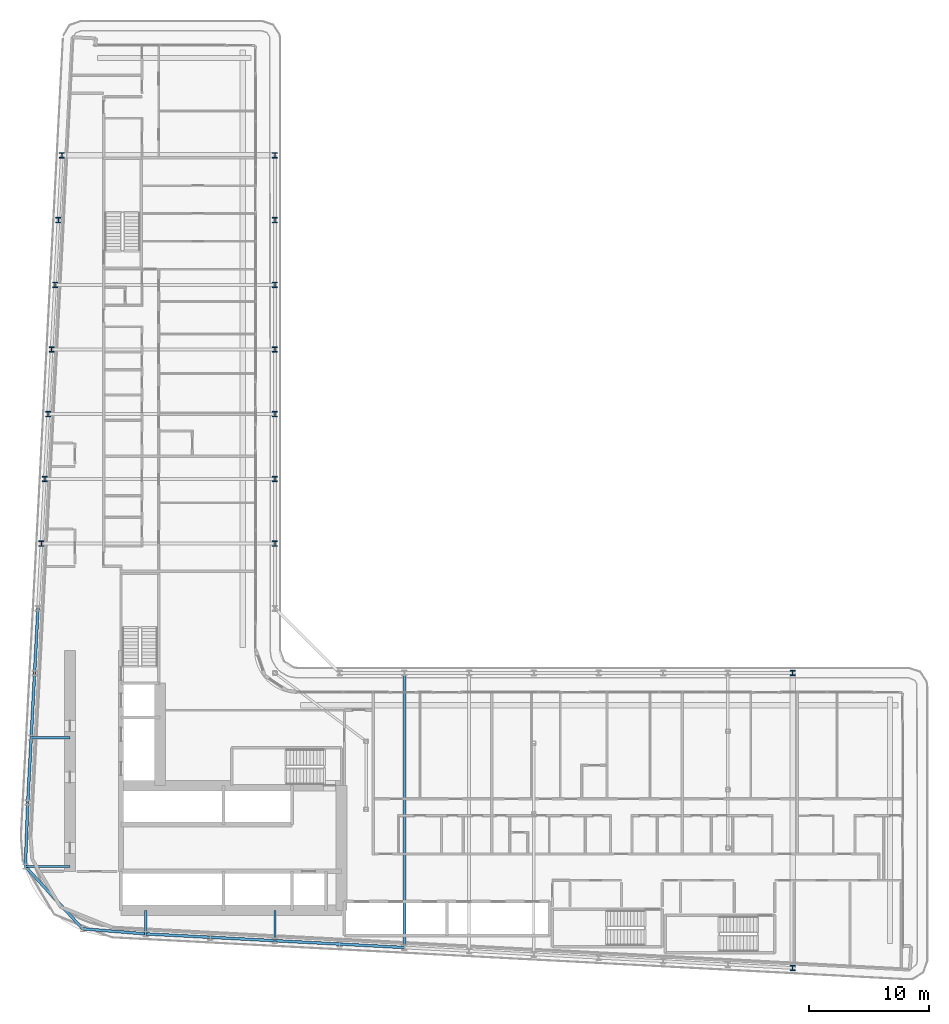
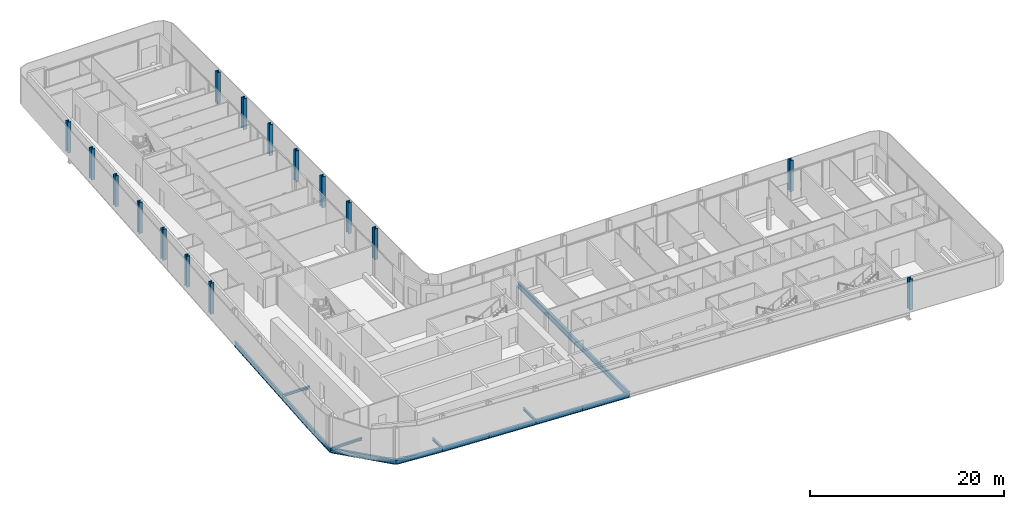
# One storey, part 3 of 28: 16 columns, 15 beams.
"""IFC4 building model written with IfcOpenShell, lengths in metres."""

from ifc_helpers import new_model, si_unit, direction, frame, origin, origin_2d, place, context, subcontext, project, spatial, i_section, extrude, material, material_profile, profile_set, type_object, element, save


model = new_model("IFC4")

# Units and contexts
model_context = context("Model", 3, precision=1e-05, world=origin(), true_north=direction((0.0, 1.0)))
body_context = subcontext(model_context, "Body", "Model", "MODEL_VIEW")
ifc_project = project(units=[si_unit("LENGTHUNIT", "METRE"), si_unit("AREAUNIT", "SQUARE_METRE"), si_unit("VOLUMEUNIT", "CUBIC_METRE"), si_unit("PLANEANGLEUNIT", "RADIAN"), si_unit("MASSUNIT", "GRAM", prefix="KILO")], contexts=[model_context])

# Site, building, storey
site_placement = place(None, origin())
site = spatial("IfcSite", under=ifc_project, at=site_placement, CompositionType="ELEMENT")
building_placement = place(site_placement, origin())
building = spatial("IfcBuilding", under=site, at=building_placement, Name="Kheshtan School and Residences Tower", CompositionType="ELEMENT")
storey_placement = place(building_placement, frame((0.0, 0.0, 129.199951171875)))
storey = spatial("IfcBuildingStorey", under=building, at=storey_placement, Name="L30", CompositionType="ELEMENT", Elevation=129.199951171875)

# Columns
ifc_material = material(Name="Steel ASTM A992 Grade 50", Category="steel")
ifc_material_profile_1 = material_profile(ifc_material, i_section(OverallWidth=0.41796875, OverallDepth=0.455078125, WebThickness=0.042236328125, FlangeThickness=0.067626953125, FilletRadius=0.013671875, at=origin_2d()), Name="W360x551")
ifc_profile_set_1 = profile_set([ifc_material_profile_1], Name="Steel ASTM A992 Grade 50")
column_type = type_object("IfcColumnType", Name="Column C2 W360x551 ASTM A992 Grade 50", PredefinedType="COLUMN", material=ifc_profile_set_1)
for number, where, z_axis, x_axis, name in (
    (1, (90.800048828125, 20.989990234375, 0.0), (0.0, 0.0, 1.0), (1.0, 0.0, 0.0), "Column C006"),
    (2, (90.800048828125, 45.60009765625, 0.0), (0.0, 0.0, 1.0), (1.0, 0.0, 0.0), "Column C068"),
    (3, (28.10595703125, 56.39990234375, 0.0), (0.0, 0.0, 1.0), (1.0, 0.0, 0.0), "Column C080"),
    (4, (47.60009765625, 56.39990234375, 0.0), (0.0, 0.0, 1.0), (1.0, 0.0, 0.0), "Column C081"),
    (5, (28.389892578125, 61.800048828125, 0.0), (0.0, 0.0, 1.0), (1.0, 0.0, 0.0), "Column C082"),
    (6, (47.60009765625, 61.800048828125, 0.0), (0.0, 0.0, 1.0), (1.0, 0.0, 0.0), "Column C083"),
    (7, (28.674072265625, 67.199951171875, 0.0), (0.0, 0.0, 1.0), (1.0, 0.0, 0.0), "Column C084"),
    (8, (47.60009765625, 67.199951171875, 0.0), (0.0, 0.0, 1.0), (1.0, 0.0, 0.0), "Column C085"),
    (9, (28.9580078125, 72.60009765625, 0.0), (0.0, 0.0, 1.0), (1.0, 0.0, 0.0), "Column C086"),
    (10, (47.60009765625, 72.60009765625, 0.0), (0.0, 0.0, 1.0), (1.0, 0.0, 0.0), "Column C087"),
    (11, (29.242919921875, 78.0, 0.0), (0.0, 0.0, 1.0), (1.0, 0.0, 0.0), "Column C088"),
    (12, (47.60009765625, 78.0, 0.0), (0.0, 0.0, 1.0), (1.0, 0.0, 0.0), "Column C089"),
    (13, (29.527099609375, 83.39990234375, 0.0), (0.0, 0.0, 1.0), (1.0, 0.0, 0.0), "Column C090"),
    (14, (47.60009765625, 83.39990234375, 0.0), (0.0, 0.0, 1.0), (1.0, 0.0, 0.0), "Column C091"),
    (15, (29.81103515625, 88.800048828125, 0.0), (0.0, 0.0, 1.0), (1.0, 0.0, 0.0), "Column C098"),
    (16, (47.60009765625, 88.800048828125, 0.0), (0.0, 0.0, 1.0), (1.0, 0.0, 0.0), "Column C099"),
):
    element("IfcColumn", number, at=place(storey_placement, frame(where, z_axis=z_axis, x_axis=x_axis)), inside=storey, type_object=column_type, Name=name, PredefinedType="COLUMN", context=body_context, shape_type="SweptSolid", body=[
        extrude(i_section(OverallWidth=0.41796875, OverallDepth=0.455078125, WebThickness=0.042236328125, FlangeThickness=0.067626953125, FilletRadius=0.013671875, at=origin_2d()), origin(), (0.0, 0.0, 1.0), 3.900146484375),
    ])

# Beams
ifc_material_profile_2 = material_profile(ifc_material, i_section(OverallWidth=0.202880859375, OverallDepth=0.302978515625, WebThickness=0.007568359375, FlangeThickness=0.01318359375, FilletRadius=0.009033203125, at=origin_2d()), Name="W310x60")
ifc_profile_set_2 = profile_set([ifc_material_profile_2], Name="Steel ASTM A992 Grade 50")
beam_type_1 = type_object("IfcBeamType", Name="Beam FB1 W310x60 ASTM A992 Grade 50", PredefinedType="BEAM", material=ifc_profile_set_2)
beam_1_placement = place(storey_placement, frame((47.60009765625, 23.263916015625, -0.301513671875), z_axis=(0.0, 1.0, 0.0), x_axis=(-1.0, 0.0, 0.0)))
element("IfcBeam", 17, at=beam_1_placement, inside=storey, type_object=beam_type_1, Name="Floor beam C020", PredefinedType="BEAM", context=body_context, shape_type="SweptSolid", body=[
    extrude(i_section(OverallWidth=0.202880859375, OverallDepth=0.302978515625, WebThickness=0.007568359375, FlangeThickness=0.01318359375, FilletRadius=0.009033203125, at=origin_2d()), origin(), (0.0, 0.0, 1.0), 2.5361328125),
])
beam_2_placement = place(storey_placement, frame((36.800048828125, 23.83203125, -0.301513671875), z_axis=(0.0, 1.0, 0.0), x_axis=(-1.0, 0.0, 0.0)))
element("IfcBeam", 18, at=beam_2_placement, inside=storey, type_object=beam_type_1, Name="Floor beam C022", PredefinedType="BEAM", context=body_context, shape_type="SweptSolid", body=[
    extrude(i_section(OverallWidth=0.202880859375, OverallDepth=0.302978515625, WebThickness=0.007568359375, FlangeThickness=0.01318359375, FilletRadius=0.009033203125, at=origin_2d()), origin(), (0.0, 0.0, 1.0), 1.968017578125),
])
beam_3_placement = place(storey_placement, frame((26.76904296875, 29.4541015625, -0.301513671875), z_axis=(1.0, 0.0, 0.0), x_axis=(0.0, 1.0, 0.0)))
element("IfcBeam", 19, at=beam_3_placement, inside=storey, type_object=beam_type_1, Name="Floor beam C038", PredefinedType="BEAM", context=body_context, shape_type="SweptSolid", body=[
    extrude(i_section(OverallWidth=0.202880859375, OverallDepth=0.302978515625, WebThickness=0.007568359375, FlangeThickness=0.01318359375, FilletRadius=0.009033203125, at=origin_2d()), origin(), (0.0, 0.0, 1.0), 3.73095703125),
])
beam_4_placement = place(storey_placement, frame((27.2529296875, 40.199951171875, -0.301513671875), z_axis=(1.0, 0.0, 0.0), x_axis=(0.0, 1.0, 0.0)))
element("IfcBeam", 20, at=beam_4_placement, inside=storey, type_object=beam_type_1, Name="Floor beam C056", PredefinedType="BEAM", context=body_context, shape_type="SweptSolid", body=[
    extrude(i_section(OverallWidth=0.202880859375, OverallDepth=0.302978515625, WebThickness=0.007568359375, FlangeThickness=0.01318359375, FilletRadius=0.009033203125, at=origin_2d()), origin(), (0.0, 0.0, 1.0), 3.2470703125),
])
ifc_material_profile_3 = material_profile(ifc_material, i_section(OverallWidth=0.2529296875, OverallDepth=0.677978515625, WebThickness=0.01171875, FlangeThickness=0.016357421875, FilletRadius=0.0146484375, at=origin_2d()), Name="W690x125")
ifc_profile_set_3 = profile_set([ifc_material_profile_3], Name="Steel ASTM A992 Grade 50")
beam_type_2 = type_object("IfcBeamType", Name="Beam FB6 W690x125 ASTM A992 Grade 50", PredefinedType="BEAM", material=ifc_profile_set_3)
beam_5_placement = place(storey_placement, frame((58.39990234375, 22.695068359375, -0.489013671875), z_axis=(0.0, 1.0, 0.0), x_axis=(-1.0, 0.0, 0.0)))
element("IfcBeam", 21, at=beam_5_placement, inside=storey, type_object=beam_type_2, Name="Floor beam C018", PredefinedType="BEAM", context=body_context, shape_type="SweptSolid", body=[
    extrude(i_section(OverallWidth=0.2529296875, OverallDepth=0.677978515625, WebThickness=0.01171875, FlangeThickness=0.016357421875, FilletRadius=0.0146484375, at=origin_2d()), origin(), (0.0, 0.0, 1.0), 22.905029296875),
])
ifc_material_profile_4 = material_profile(ifc_material, i_section(OverallWidth=0.22802734375, OverallDepth=0.60302734375, WebThickness=0.010498046875, FlangeThickness=0.014892578125, FilletRadius=0.013427734375, at=origin_2d()), Name="W610x101")
ifc_profile_set_4 = profile_set([ifc_material_profile_4], Name="Steel ASTM A992 Grade 50")
beam_type_3 = type_object("IfcBeamType", Name="Beam SP2 W610x101 ASTM A992 Grade 50", PredefinedType="BEAM", material=ifc_profile_set_4)
for number, where, z_axis, x_axis, name in (
    (22, (58.39990234375, 22.695068359375, -0.451416015625), (-0.998610961136, 0.052689166816, 0.0), (-0.052689166816, -0.998610961136, 0.0), "Spandrel beam C018-C019"),
    (23, (53.0, 22.97998046875, -0.451416015625), (-0.998620447272, 0.05250906864, 0.0), (-0.05250906864, -0.998620447272, 0.0), "Spandrel beam C019-C020"),
):
    element("IfcBeam", number, at=place(storey_placement, frame(where, z_axis=z_axis, x_axis=x_axis)), inside=storey, type_object=beam_type_3, Name=name, PredefinedType="BEAM", context=body_context, shape_type="SweptSolid", body=[
        extrude(i_section(OverallWidth=0.22802734375, OverallDepth=0.60302734375, WebThickness=0.010498046875, FlangeThickness=0.014892578125, FilletRadius=0.013427734375, at=origin_2d()), origin(), (0.0, 0.0, 1.0), 5.407470703125),
    ])
beam_6_placement = place(storey_placement, frame((47.60009765625, 23.263916015625, -0.451416015625), z_axis=(-0.998618203458, 0.052551724256, 0.0), x_axis=(-0.052551724256, -0.998618203458, 0.0)))
element("IfcBeam", 24, at=beam_6_placement, inside=storey, type_object=beam_type_3, Name="Spandrel beam C020-C021", PredefinedType="BEAM", context=body_context, shape_type="SweptSolid", body=[
    extrude(i_section(OverallWidth=0.22802734375, OverallDepth=0.60302734375, WebThickness=0.010498046875, FlangeThickness=0.014892578125, FilletRadius=0.013427734375, at=origin_2d()), origin(), (0.0, 0.0, 1.0), 5.40771484375),
])
beam_7_placement = place(storey_placement, frame((42.199951171875, 23.548095703125, -0.451416015625), z_axis=(-0.998620447272, 0.05250906864, 0.0), x_axis=(-0.05250906864, -0.998620447272, 0.0)))
element("IfcBeam", 25, at=beam_7_placement, inside=storey, type_object=beam_type_3, Name="Spandrel beam C021-C022", PredefinedType="BEAM", context=body_context, shape_type="SweptSolid", body=[
    extrude(i_section(OverallWidth=0.22802734375, OverallDepth=0.60302734375, WebThickness=0.010498046875, FlangeThickness=0.014892578125, FilletRadius=0.013427734375, at=origin_2d()), origin(), (0.0, 0.0, 1.0), 5.407470703125),
])
beam_8_placement = place(storey_placement, frame((36.800048828125, 23.83203125, -0.451416015625), z_axis=(-0.996748565693, 0.08057479003, 0.0), x_axis=(-0.08057479003, -0.996748565693, 0.0)))
element("IfcBeam", 26, at=beam_8_placement, inside=storey, type_object=beam_type_3, Name="Spandrel beam C022-C025", PredefinedType="BEAM", context=body_context, shape_type="SweptSolid", body=[
    extrude(i_section(OverallWidth=0.22802734375, OverallDepth=0.60302734375, WebThickness=0.010498046875, FlangeThickness=0.014892578125, FilletRadius=0.013427734375, at=origin_2d()), origin(), (0.0, 0.0, 1.0), 5.275146484375),
])
beam_9_placement = place(storey_placement, frame((31.5419921875, 24.257080078125, -0.451416015625), z_axis=(-0.676418406149, 0.736517576045, 0.0), x_axis=(-0.736517576045, -0.676418406149, 0.0)))
element("IfcBeam", 27, at=beam_9_placement, inside=storey, type_object=beam_type_3, Name="Spandrel beam C025-C038", PredefinedType="BEAM", context=body_context, shape_type="SweptSolid", body=[
    extrude(i_section(OverallWidth=0.22802734375, OverallDepth=0.60302734375, WebThickness=0.010498046875, FlangeThickness=0.014892578125, FilletRadius=0.013427734375, at=origin_2d()), origin(), (0.0, 0.0, 1.0), 7.05615234375),
])
beam_10_placement = place(storey_placement, frame((26.76904296875, 29.4541015625, -0.451416015625), z_axis=(0.037376249491, 0.999301263871, 0.0), x_axis=(-0.999301263871, 0.037376249491, 0.0)))
element("IfcBeam", 28, at=beam_10_placement, inside=storey, type_object=beam_type_3, Name="Spandrel beam C038-C052", PredefinedType="BEAM", context=body_context, shape_type="SweptSolid", body=[
    extrude(i_section(OverallWidth=0.22802734375, OverallDepth=0.60302734375, WebThickness=0.010498046875, FlangeThickness=0.014892578125, FilletRadius=0.013427734375, at=origin_2d()), origin(), (0.0, 0.0, 1.0), 5.349609375),
])
beam_11_placement = place(storey_placement, frame((26.968994140625, 34.800048828125, -0.451416015625), z_axis=(0.05250906864, 0.998620447272, 0.0), x_axis=(-0.998620447272, 0.05250906864, 0.0)))
element("IfcBeam", 29, at=beam_11_placement, inside=storey, type_object=beam_type_3, Name="Spandrel beam C052-C056", PredefinedType="BEAM", context=body_context, shape_type="SweptSolid", body=[
    extrude(i_section(OverallWidth=0.22802734375, OverallDepth=0.60302734375, WebThickness=0.010498046875, FlangeThickness=0.014892578125, FilletRadius=0.013427734375, at=origin_2d()), origin(), (0.0, 0.0, 1.0), 5.407470703125),
])
beam_12_placement = place(storey_placement, frame((27.2529296875, 40.199951171875, -0.451416015625), z_axis=(0.052551724256, 0.998618203458, 0.0), x_axis=(-0.998618203458, 0.052551724256, 0.0)))
element("IfcBeam", 30, at=beam_12_placement, inside=storey, type_object=beam_type_3, Name="Spandrel beam C056-C059", PredefinedType="BEAM", context=body_context, shape_type="SweptSolid", body=[
    extrude(i_section(OverallWidth=0.22802734375, OverallDepth=0.60302734375, WebThickness=0.010498046875, FlangeThickness=0.014892578125, FilletRadius=0.013427734375, at=origin_2d()), origin(), (0.0, 0.0, 1.0), 5.40771484375),
])
beam_13_placement = place(storey_placement, frame((27.537109375, 45.60009765625, -0.451416015625), z_axis=(0.052689166816, 0.998610961136, 0.0), x_axis=(-0.998610961136, 0.052689166816, 0.0)))
element("IfcBeam", 31, at=beam_13_placement, inside=storey, type_object=beam_type_3, Name="Spandrel beam C059-C078", PredefinedType="BEAM", context=body_context, shape_type="SweptSolid", body=[
    extrude(i_section(OverallWidth=0.22802734375, OverallDepth=0.60302734375, WebThickness=0.010498046875, FlangeThickness=0.014892578125, FilletRadius=0.013427734375, at=origin_2d()), origin(), (0.0, 0.0, 1.0), 5.407470703125),
])

save(model, "model.ifc")
